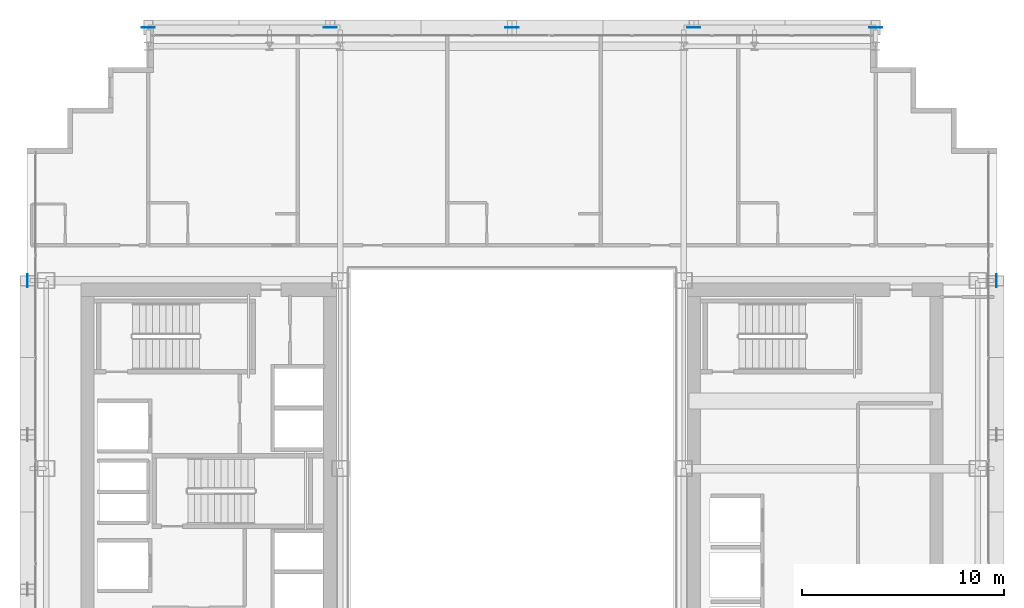
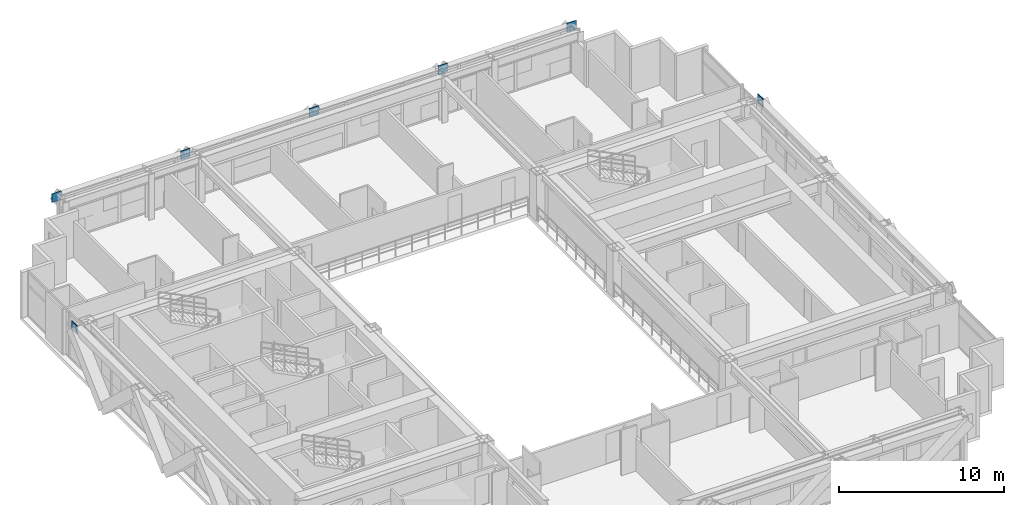
# One storey, part 26 of 34: 7 plates.
"""IFC4 building model written with IfcOpenShell, lengths in metres."""

from ifc_helpers import new_model, si_unit, direction, frame, origin, origin_2d, place, context, subcontext, project, spatial, rectangle, extrude, source, transform, mapped, material, layer, layer_set, type_object, element, save


model = new_model("IFC4")

# Units and contexts
model_context = context("Model", 3, precision=1e-05, world=origin(), true_north=direction((0.0, 1.0)))
body_context = subcontext(model_context, "Body", "Model", "MODEL_VIEW")
ifc_project = project(units=[si_unit("LENGTHUNIT", "METRE"), si_unit("AREAUNIT", "SQUARE_METRE"), si_unit("VOLUMEUNIT", "CUBIC_METRE"), si_unit("PLANEANGLEUNIT", "RADIAN"), si_unit("MASSUNIT", "GRAM", prefix="KILO")], contexts=[model_context])

# Site, building, storey
site_placement = place(None, origin())
site = spatial("IfcSite", under=ifc_project, at=site_placement, CompositionType="ELEMENT")
building_placement = place(site_placement, origin())
building = spatial("IfcBuilding", under=site, at=building_placement, Name="Ocotamira Hotel", CompositionType="ELEMENT")
storey_placement = place(building_placement, frame((0.0, 0.0, 108.0)))
storey = spatial("IfcBuildingStorey", under=building, at=storey_placement, Name="L26", CompositionType="ELEMENT", Elevation=108.0)

# Plates
ifc_material = material(Name="Pale-metal coated steel ASTM A572 Grade 50", Category="steel")
ifc_layer = layer(ifc_material, 0.0400390625)
ifc_layer_set = layer_set([ifc_layer], Name="Pale-metal coated steel ASTM A572 Grade 50")
plate_type = type_object("IfcPlateType", Name="PLT-GUSSET-40", PredefinedType="SHEET", material=ifc_layer_set)
shared_shape_1 = source(origin(), body_context, "Body", "SweptSolid", [
    extrude(rectangle(XDim=0.64990234375, YDim=0.0400390625, at=origin_2d()), origin(), (0.0, 0.0, 1.0), 0.64990234375),
])
for number, where, z_axis, x_axis, name in (
    (1, (14.0, 49.969970703125, 2.78515625), (0.0, 0.0, 1.0), (-1.0, 0.0, 0.0), "L26 Exoskeleton Diagrid N0.1 End Gusset B"),
    (2, (23.0, 49.969970703125, 2.78515625), (0.0, 0.0, 1.0), (1.0, 0.0, 0.0), "L26 Exoskeleton Diagrid N0.2 End Gusset B"),
    (3, (32.0, 49.969970703125, 2.78515625), (0.0, 0.0, 1.0), (1.0, 0.0, 0.0), "L26 Exoskeleton Diagrid N1.2 End Gusset B"),
    (4, (41.0, 49.969970703125, 2.78515625), (0.0, 0.0, 1.0), (1.0, 0.0, 0.0), "L26 Exoskeleton Diagrid N2.2 End Gusset B"),
    (5, (50.0, 49.969970703125, 2.78515625), (0.0, 0.0, 1.0), (1.0, 0.0, 0.0), "L26 Exoskeleton Diagrid N3.2 End Gusset B"),
):
    element("IfcPlate", number, at=place(storey_placement, frame(where, z_axis=z_axis, x_axis=x_axis)), inside=storey, type_object=plate_type, Name=name, PredefinedType="SHEET", context=body_context, shape_type="MappedRepresentation", body=[
        mapped(shared_shape_1, transform((0.0, 0.0, 0.0), scale=1.0)),
    ])
shared_shape_2 = source(origin(), body_context, "Body", "SweptSolid", [
    extrude(rectangle(XDim=0.0400390625, YDim=0.64990234375, at=origin_2d()), origin(), (0.0, 0.0, 1.0), 0.64990234375),
])
for number, where, z_axis, x_axis, name in (
    (6, (8.030029296875, 37.449951171875, 2.78515625), (0.0, 0.0, 1.0), (1.0, 0.0, 0.0), "L26 Exoskeleton Diagrid W2.2 End Gusset B"),
    (7, (55.969970703125, 37.449951171875, 2.78515625), (0.0, 0.0, 1.0), (1.0, 0.0, 0.0), "L26 Exoskeleton Diagrid E2.2 End Gusset B"),
):
    element("IfcPlate", number, at=place(storey_placement, frame(where, z_axis=z_axis, x_axis=x_axis)), inside=storey, type_object=plate_type, Name=name, PredefinedType="SHEET", context=body_context, shape_type="MappedRepresentation", body=[
        mapped(shared_shape_2, transform((0.0, 0.0, 0.0), scale=1.0)),
    ])

save(model, "model.ifc")
